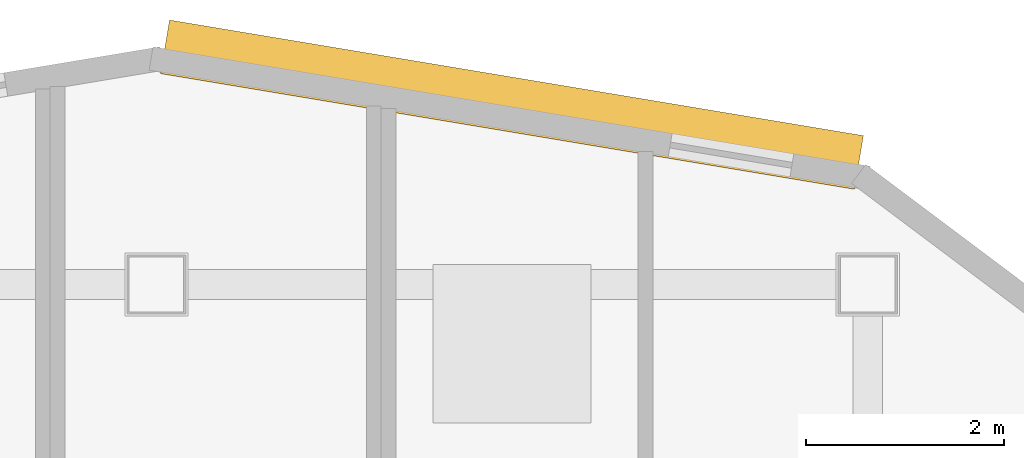
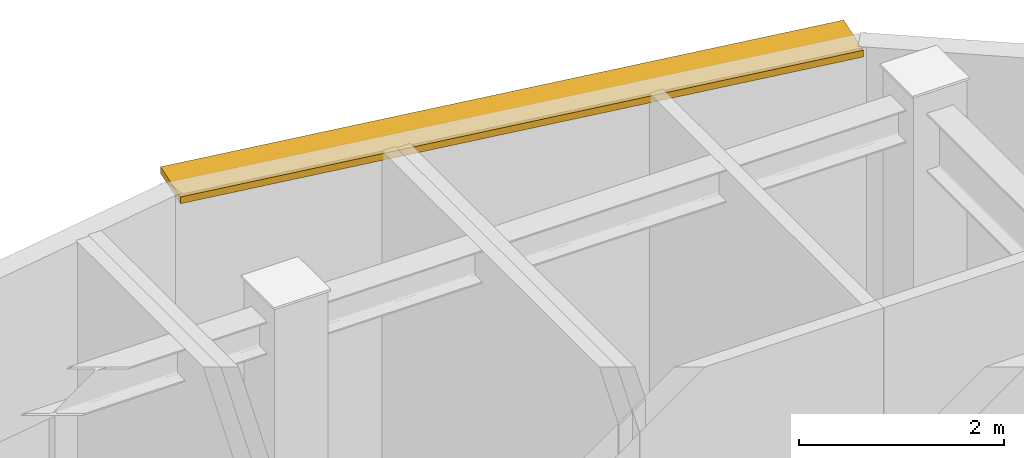
# One storey, part 11 of 11: 1 shading device.
"""IFC4 building model written with IfcOpenShell, lengths in metres."""

import ifcopenshell
import ifcopenshell.guid

model = None  # the IFC model being written
_history = None  # IfcOwnerHistory: only IFC2X3 demands one
_inside = {}  # id of a spatial element -> (the spatial element, [elements in it])
_under = {}  # id of a project, library or spatial element -> (it, [spatial elements below it])
_declared = {}  # id of a project -> (the project, [libraries it declares])
_typed = {}  # id of a type object -> (the type object, [elements of that type])
_made_of = {}  # id of a material, layer set ... -> (it, [elements and type objects made of it])


def new_model(schema):
    """Start an empty IFC model of exactly this schema.

    Asked for "IFC4X3", IfcOpenShell would pick the latest addendum, in which some entities
    have other attributes; the version numbers below select the first issue.
    IFC2X3 requires an IfcOwnerHistory on every rooted entity: one is made here for all.
    """
    global model, _history
    if schema == "IFC4X3":
        model = ifcopenshell.file(schema_version=(4, 3, 0, 0))
    else:
        model = ifcopenshell.file(schema=schema)
    _inside.clear()
    _under.clear()
    _declared.clear()
    _typed.clear()
    _made_of.clear()
    _history = None
    if model.schema == "IFC2X3":
        org = make("IfcOrganization", Name="unknown")
        user = make(
            "IfcPersonAndOrganization",
            ThePerson=make("IfcPerson", FamilyName="unknown"),
            TheOrganization=org,
        )
        app = make(
            "IfcApplication",
            ApplicationDeveloper=org,
            Version="unknown",
            ApplicationFullName="unknown",
            ApplicationIdentifier="unknown",
        )
        _history = make(
            "IfcOwnerHistory",
            OwningUser=user,
            OwningApplication=app,
            ChangeAction="ADDED",
            CreationDate=0,
        )
    return model


def make(cls, **values):
    """One entity of the class cls with the attributes given. An attribute that is None is left unset."""
    return model.create_entity(
        cls, **{name: value for name, value in values.items() if value is not None}
    )


def rooted(cls, **values):
    """An entity with a GlobalId (a new one), such as an element, a storey or a relation."""
    return make(cls, GlobalId=ifcopenshell.guid.new(), OwnerHistory=_history, **values)


def si_unit(unit_type, name, prefix=None):
    """IfcSIUnit, for example si_unit("LENGTHUNIT", "METRE", prefix="MILLI")."""
    return make("IfcSIUnit", UnitType=unit_type, Prefix=prefix, Name=name)


def assignment(units):
    """IfcUnitAssignment: the units of a project."""
    return None if units is None else make("IfcUnitAssignment", Units=units)


def point(xyz):
    """IfcCartesianPoint."""
    return None if xyz is None else make("IfcCartesianPoint", Coordinates=xyz)


def direction(xyz):
    """IfcDirection."""
    return None if xyz is None else make("IfcDirection", DirectionRatios=xyz)


def frame(location, z_axis=None, x_axis=None):
    """IfcAxis2Placement3D, a coordinate frame: its origin and axes. An axis left out is left unset."""
    return make(
        "IfcAxis2Placement3D",
        Location=point(location),
        Axis=direction(z_axis),
        RefDirection=direction(x_axis),
    )


def frame_2d(location, x_axis=None):
    """IfcAxis2Placement2D, a coordinate frame in the plane: its origin and x axis."""
    return make(
        "IfcAxis2Placement2D", Location=point(location), RefDirection=direction(x_axis)
    )


def origin():
    """The frame at (0, 0, 0) with its axes left unset."""
    return frame((0.0, 0.0, 0.0))


def origin_2d():
    """The frame at (0, 0) in the plane with its x axis left unset."""
    return frame_2d((0.0, 0.0))


def place(relative_to, where):
    """IfcLocalPlacement: puts the frame where relative to a parent placement (None: the world)."""
    return make(
        "IfcLocalPlacement", PlacementRelTo=relative_to, RelativePlacement=where
    )


def context(
    kind, dimensions, precision=None, world=None, true_north=None, identifier=None
):
    """IfcGeometricRepresentationContext, for example the 3D "Model" context."""
    return make(
        "IfcGeometricRepresentationContext",
        ContextIdentifier=identifier,
        ContextType=kind,
        CoordinateSpaceDimension=dimensions,
        Precision=precision,
        WorldCoordinateSystem=world,
        TrueNorth=true_north,
    )


def subcontext(parent, identifier, kind, view, scale=None):
    """IfcGeometricRepresentationSubContext, for example "Body" below "Model"."""
    return make(
        "IfcGeometricRepresentationSubContext",
        ContextIdentifier=identifier,
        ContextType=kind,
        ParentContext=parent,
        TargetScale=scale,
        TargetView=view,
    )


def project(units=None, contexts=None):
    """IfcProject with its units and contexts."""
    return rooted(
        "IfcProject",
        Name="project",
        RepresentationContexts=contexts,
        UnitsInContext=assignment(units),
    )


def spatial(cls, under=None, at=None, **own):
    """A site, building, storey or space (cls), placed at a placement, below another one or the project."""
    s = rooted(cls, ObjectPlacement=at, **own)
    if under is not None:
        _under.setdefault(under.id(), (under, []))[1].append(s)
    return s


def profile(cls, at=None, kind="AREA", **sizes):
    """A parametric profile (cls). Its sizes go by their IFC names, for example OverallWidth=200.0."""
    return make(cls, ProfileType=kind, Position=at, **sizes)


def rectangle(**sizes):
    """IfcRectangleProfileDef."""
    return profile("IfcRectangleProfileDef", **sizes)


def extrude(swept, where, along, depth):
    """IfcExtrudedAreaSolid: the profile swept, set in the frame where, extruded along a direction by depth."""
    return make(
        "IfcExtrudedAreaSolid",
        SweptArea=swept,
        Position=where,
        ExtrudedDirection=direction(along),
        Depth=depth,
    )


def shape(context_of_items, identifier, shape_type, items):
    """IfcShapeRepresentation: the items that make up one representation, for example the "Body"."""
    return make(
        "IfcShapeRepresentation",
        ContextOfItems=context_of_items,
        RepresentationIdentifier=identifier,
        RepresentationType=shape_type,
        Items=items,
    )


def material(Name=None, Category=None):
    """IfcMaterial."""
    return make("IfcMaterial", Name=Name, Category=Category)


def layer(
    of_material, thickness, ventilated=None, Name=None, Category=None, Priority=None
):
    """IfcMaterialLayer: one layer of a wall or slab, of a material (None: an air gap)."""
    return make(
        "IfcMaterialLayer",
        Material=of_material,
        LayerThickness=thickness,
        IsVentilated=ventilated,
        Name=Name,
        Category=Category,
        Priority=Priority,
    )


def layer_set(layers, Name=None):
    """IfcMaterialLayerSet."""
    return make("IfcMaterialLayerSet", MaterialLayers=layers, LayerSetName=Name)


def made_of(thing, what):
    """Note that an element or type object is made of a material, layer set ...; save() writes the relation."""
    if what is not None:
        _made_of.setdefault(what.id(), (what, []))[1].append(thing)
    return thing


def type_object(cls, material=None, **own):
    """A type object (cls), such as IfcWallType, which elements share."""
    return made_of(rooted(cls, **own), material)


def element(
    cls,
    number,
    at=None,
    inside=None,
    cuts=None,
    type_object=None,
    material=None,
    context=None,
    identifier="Body",
    shape_type=None,
    held_by="IfcProductDefinitionShape",
    body=None,
    shapes=None,
    **own,
):
    """One element of the class cls, such as IfcWall. Its Tag is "e" and its number.

    at: its placement. inside: the storey or other place that contains it. cuts: it is an
    opening in that element (IfcRelVoidsElement). A single representation is given by context,
    identifier, shape_type and body (its items); several are given by shapes. held_by: the class
    of the entity that holds the representations. save() writes the other relations.
    """
    e = rooted(cls, Tag="e%d" % number, ObjectPlacement=at, **own)
    if body is not None:
        shapes = [shape(context, identifier, shape_type, body)]
    if shapes is not None:
        e.Representation = make(held_by, Representations=shapes)
    if inside is not None:
        _inside.setdefault(inside.id(), (inside, []))[1].append(e)
    if cuts is not None:
        rooted(
            "IfcRelVoidsElement", RelatingBuildingElement=cuts, RelatedOpeningElement=e
        )
    if type_object is not None:
        _typed.setdefault(type_object.id(), (type_object, []))[1].append(e)
    return made_of(e, material)


def aggregate(whole, parts):
    """IfcRelAggregates: a whole, such as a stair, and the parts it consists of."""
    return rooted("IfcRelAggregates", RelatingObject=whole, RelatedObjects=parts)


def save(model, path):
    """Write the relations noted so far, then the file.

    IfcRelAggregates (storeys below a building ...), IfcRelContainedInSpatialStructure (elements
    in a storey), IfcRelDefinesByType, IfcRelAssociatesMaterial and IfcRelDeclares: one each for
    every whole, place, type object, material and project.
    """
    for whole, parts in _under.values():
        aggregate(whole, parts)
    for where, things in _inside.values():
        rooted(
            "IfcRelContainedInSpatialStructure",
            RelatedElements=things,
            RelatingStructure=where,
        )
    for kind, things in _typed.values():
        rooted("IfcRelDefinesByType", RelatedObjects=things, RelatingType=kind)
    for what, things in _made_of.values():
        rooted("IfcRelAssociatesMaterial", RelatedObjects=things, RelatingMaterial=what)
    for by, libraries in _declared.values():
        rooted("IfcRelDeclares", RelatingContext=by, RelatedDefinitions=libraries)
    model.write(path)


model = new_model("IFC4")

# Units and contexts
model_context = context("Model", 3, precision=1e-05, world=origin(), true_north=direction((0.0, 1.0)))
body_context = subcontext(model_context, "Body", "Model", "MODEL_VIEW")
ifc_project = project(units=[si_unit("LENGTHUNIT", "METRE"), si_unit("AREAUNIT", "SQUARE_METRE"), si_unit("VOLUMEUNIT", "CUBIC_METRE"), si_unit("PLANEANGLEUNIT", "RADIAN"), si_unit("MASSUNIT", "GRAM", prefix="KILO")], contexts=[model_context])

# Site, building, storey
site_placement = place(None, origin())
site = spatial("IfcSite", under=ifc_project, at=site_placement, CompositionType="ELEMENT")
building_placement = place(site_placement, origin())
building = spatial("IfcBuilding", under=site, at=building_placement, Name="Haolan Belvedere Tower", CompositionType="ELEMENT")
storey_placement = place(building_placement, frame((0.0, 0.0, 323.199951171875)))
storey = spatial("IfcBuildingStorey", under=building, at=storey_placement, Name="L81", CompositionType="ELEMENT", Elevation=323.199951171875)

# Shading device
ifc_material = material(Name="Anodised champagne-silver aluminium 6063-T6", Category="aluminium")
ifc_layer = layer(ifc_material, 0.080078125, Name="Anodised champagne-silver aluminium 6063-T6")
ifc_layer_set = layer_set([ifc_layer], Name="Anodised champagne-silver aluminium 6063-T6")
shading_device_type = type_object("IfcShadingDeviceType", Name="SHD-SUN-550", PredefinedType="USERDEFINED", material=ifc_layer_set)
shading_device_placement = place(storey_placement, frame((41.998779296875, 52.220458984375, 4.64990234375), z_axis=(0.0, 0.0, 1.0), x_axis=(-0.986394848329, 0.164393440227, 0.0)))
element("IfcShadingDevice", 1, at=shading_device_placement, inside=storey, type_object=shading_device_type, Name="L81 pale-metal horizontal SUNSHADE band 9.1", ObjectType="SUNSHADE", PredefinedType="USERDEFINED", context=body_context, shape_type="SweptSolid", body=[
    extrude(rectangle(XDim=7.1201171875, YDim=0.550048828125, at=origin_2d()), origin(), (0.0, 0.0, 1.0), 0.080078125),
])

save(model, "model.ifc")
